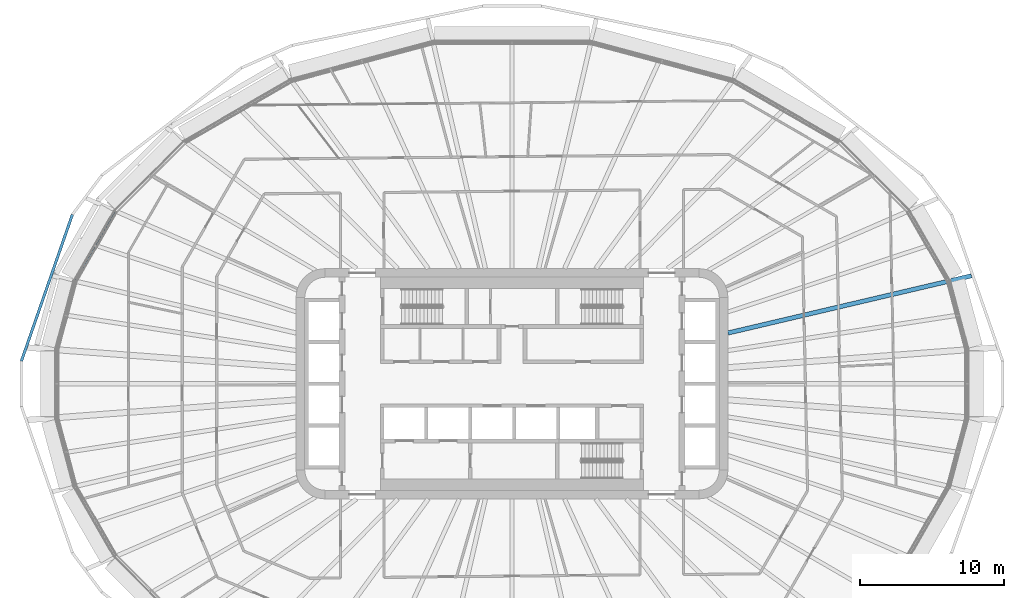
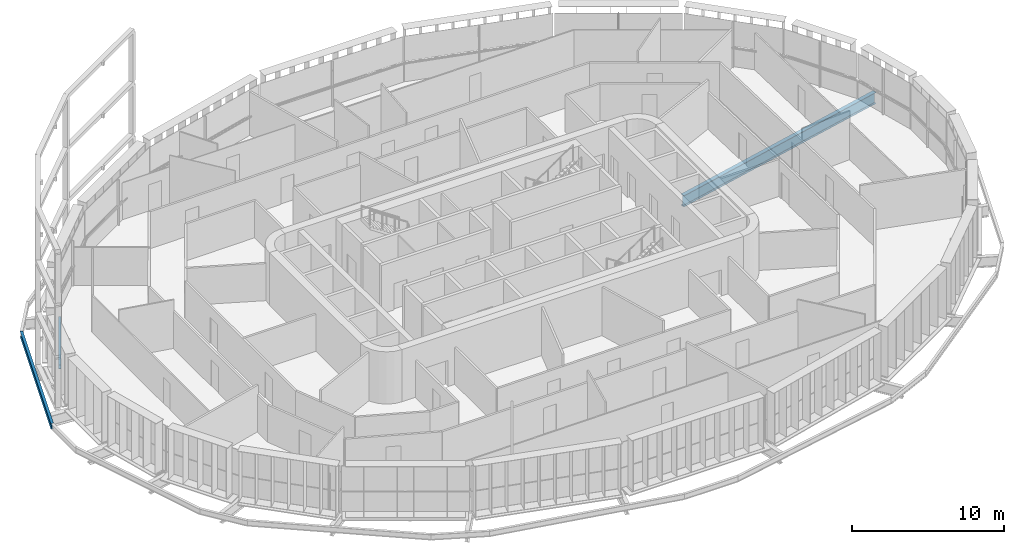
# One storey, part 6 of 26: 3 beams.
"""IFC4 building model written with IfcOpenShell, lengths in metres."""

from ifc_helpers import new_model, si_unit, direction, frame, origin, origin_2d, place, context, subcontext, project, spatial, i_section, extrude, material, material_profile, profile_set, type_object, element, save


model = new_model("IFC4")

# Units and contexts
model_context = context("Model", 3, precision=1e-05, world=origin(), true_north=direction((0.0, 1.0)))
body_context = subcontext(model_context, "Body", "Model", "MODEL_VIEW")
ifc_project = project(units=[si_unit("LENGTHUNIT", "METRE"), si_unit("AREAUNIT", "SQUARE_METRE"), si_unit("VOLUMEUNIT", "CUBIC_METRE"), si_unit("PLANEANGLEUNIT", "RADIAN"), si_unit("MASSUNIT", "GRAM", prefix="KILO")], contexts=[model_context])

# Site, building, storey
site_placement = place(None, origin())
site = spatial("IfcSite", under=ifc_project, at=site_placement, CompositionType="ELEMENT")
building_placement = place(site_placement, origin())
building = spatial("IfcBuilding", under=site, at=building_placement, Name="Sahrelin Media Tower", CompositionType="ELEMENT")
storey_placement = place(building_placement, frame((0.0, 0.0, 84.0)))
storey = spatial("IfcBuildingStorey", under=building, at=storey_placement, Name="L15", CompositionType="ELEMENT", Elevation=84.0)

# Beams
ifc_material = material(Name="Steel S355", Category="steel")
ifc_material_profile_1 = material_profile(ifc_material, i_section(OverallWidth=0.1650390625, OverallDepth=0.303466796875, WebThickness=0.006103515625, FlangeThickness=0.01025390625, FilletRadius=0.0087890625, at=origin_2d()), Name="UB 305x165x40")
ifc_profile_set_1 = profile_set([ifc_material_profile_1], Name="Steel S355")
beam_type_1 = type_object("IfcBeamType", Name="Edge beam EB2", PredefinedType="BEAM", material=ifc_profile_set_1)
beam_1_placement = place(storey_placement, frame((-30.282958984375, 7.103271484375, -0.3017578125), z_axis=(0.499998387408, 0.866026334813, 0.0), x_axis=(-0.866026334813, 0.499998387408, 0.0)))
element("IfcBeam", 1, at=beam_1_placement, inside=storey, type_object=beam_type_1, Name="Edge beam L15-15", PredefinedType="BEAM", context=body_context, shape_type="SweptSolid", body=[
    extrude(i_section(OverallWidth=0.1650390625, OverallDepth=0.303466796875, WebThickness=0.006103515625, FlangeThickness=0.01025390625, FilletRadius=0.0087890625, at=origin_2d()), origin(), (0.0, 0.0, 1.0), 5.5654296875),
])
ifc_material_profile_2 = material_profile(ifc_material, i_section(OverallWidth=0.30322265625, OverallDepth=0.903076171875, WebThickness=0.01513671875, FlangeThickness=0.020263671875, FilletRadius=0.01904296875, at=origin_2d()), Name="UB 914x305x201")
ifc_profile_set_2 = profile_set([ifc_material_profile_2], Name="Steel S355")
beam_type_2 = type_object("IfcBeamType", Name="Radial primary beam PB11", PredefinedType="BEAM", material=ifc_profile_set_2)
beam_2_placement = place(storey_placement, frame((15.0, 3.523681640625, -0.6015625), z_axis=(0.973497473538, 0.22869776784, 0.0), x_axis=(-0.22869776784, 0.973497473538, 0.0)))
element("IfcBeam", 2, at=beam_2_placement, inside=storey, type_object=beam_type_2, Name="Radial beam L15-02", PredefinedType="BEAM", context=body_context, shape_type="SweptSolid", body=[
    extrude(i_section(OverallWidth=0.30322265625, OverallDepth=0.903076171875, WebThickness=0.01513671875, FlangeThickness=0.020263671875, FilletRadius=0.01904296875, at=origin_2d()), origin(), (0.0, 0.0, 1.0), 17.370849609375),
])
ifc_material_profile_3 = material_profile(ifc_material, i_section(OverallWidth=0.1904296875, OverallDepth=0.45703125, WebThickness=0.009033203125, FlangeThickness=0.014404296875, FilletRadius=0.01025390625, at=origin_2d()), Name="UB 457x191x74")
ifc_profile_set_3 = profile_set([ifc_material_profile_3], Name="Steel S355")
beam_type_3 = type_object("IfcBeamType", Name="Tie chord TC5", PredefinedType="BEAM", material=ifc_profile_set_3)
beam_3_placement = place(storey_placement, frame((-30.529296875, 11.753662109375, -0.37841796875), z_axis=(-0.328779674512, -0.944406652681, 0.0), x_axis=(0.944406652681, -0.328779674512, 0.0)))
element("IfcBeam", 3, at=beam_3_placement, inside=storey, type_object=beam_type_3, Name="Tie chord L15-11", PredefinedType="BEAM", context=body_context, shape_type="SweptSolid", body=[
    extrude(i_section(OverallWidth=0.1904296875, OverallDepth=0.45703125, WebThickness=0.009033203125, FlangeThickness=0.014404296875, FilletRadius=0.01025390625, at=origin_2d()), origin(), (0.0, 0.0, 1.0), 10.78271484375),
])

save(model, "model.ifc")
